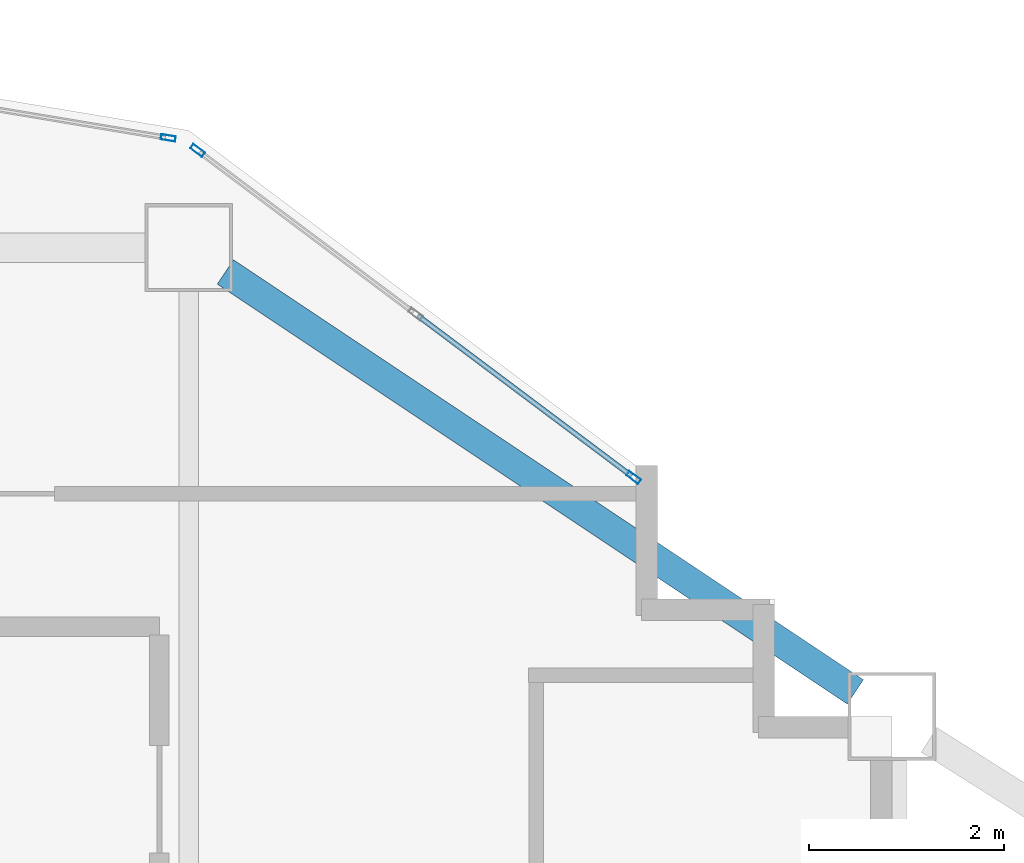
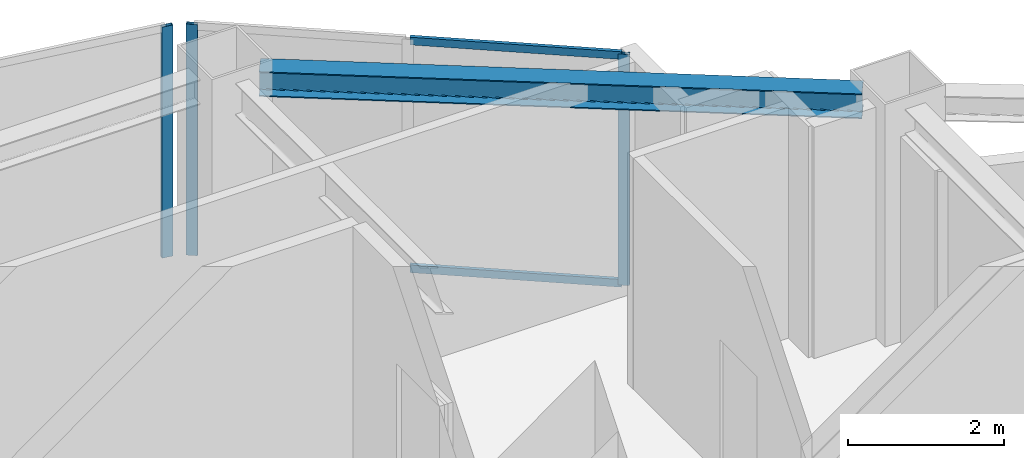
# One storey, part 3 of 12: 5 members, 1 beam, 2 elements without a shape of their own.
"""IFC4 building model written with IfcOpenShell, lengths in metres."""

import ifcopenshell
import ifcopenshell.guid

model = None  # the IFC model being written
_history = None  # IfcOwnerHistory: only IFC2X3 demands one
_inside = {}  # id of a spatial element -> (the spatial element, [elements in it])
_under = {}  # id of a project, library or spatial element -> (it, [spatial elements below it])
_declared = {}  # id of a project -> (the project, [libraries it declares])
_typed = {}  # id of a type object -> (the type object, [elements of that type])
_made_of = {}  # id of a material, layer set ... -> (it, [elements and type objects made of it])


def new_model(schema):
    """Start an empty IFC model of exactly this schema.

    Asked for "IFC4X3", IfcOpenShell would pick the latest addendum, in which some entities
    have other attributes; the version numbers below select the first issue.
    IFC2X3 requires an IfcOwnerHistory on every rooted entity: one is made here for all.
    """
    global model, _history
    if schema == "IFC4X3":
        model = ifcopenshell.file(schema_version=(4, 3, 0, 0))
    else:
        model = ifcopenshell.file(schema=schema)
    _inside.clear()
    _under.clear()
    _declared.clear()
    _typed.clear()
    _made_of.clear()
    _history = None
    if model.schema == "IFC2X3":
        org = make("IfcOrganization", Name="unknown")
        user = make(
            "IfcPersonAndOrganization",
            ThePerson=make("IfcPerson", FamilyName="unknown"),
            TheOrganization=org,
        )
        app = make(
            "IfcApplication",
            ApplicationDeveloper=org,
            Version="unknown",
            ApplicationFullName="unknown",
            ApplicationIdentifier="unknown",
        )
        _history = make(
            "IfcOwnerHistory",
            OwningUser=user,
            OwningApplication=app,
            ChangeAction="ADDED",
            CreationDate=0,
        )
    return model


def make(cls, **values):
    """One entity of the class cls with the attributes given. An attribute that is None is left unset."""
    return model.create_entity(
        cls, **{name: value for name, value in values.items() if value is not None}
    )


def rooted(cls, **values):
    """An entity with a GlobalId (a new one), such as an element, a storey or a relation."""
    return make(cls, GlobalId=ifcopenshell.guid.new(), OwnerHistory=_history, **values)


def si_unit(unit_type, name, prefix=None):
    """IfcSIUnit, for example si_unit("LENGTHUNIT", "METRE", prefix="MILLI")."""
    return make("IfcSIUnit", UnitType=unit_type, Prefix=prefix, Name=name)


def assignment(units):
    """IfcUnitAssignment: the units of a project."""
    return None if units is None else make("IfcUnitAssignment", Units=units)


def point(xyz):
    """IfcCartesianPoint."""
    return None if xyz is None else make("IfcCartesianPoint", Coordinates=xyz)


def direction(xyz):
    """IfcDirection."""
    return None if xyz is None else make("IfcDirection", DirectionRatios=xyz)


def frame(location, z_axis=None, x_axis=None):
    """IfcAxis2Placement3D, a coordinate frame: its origin and axes. An axis left out is left unset."""
    return make(
        "IfcAxis2Placement3D",
        Location=point(location),
        Axis=direction(z_axis),
        RefDirection=direction(x_axis),
    )


def frame_2d(location, x_axis=None):
    """IfcAxis2Placement2D, a coordinate frame in the plane: its origin and x axis."""
    return make(
        "IfcAxis2Placement2D", Location=point(location), RefDirection=direction(x_axis)
    )


def origin():
    """The frame at (0, 0, 0) with its axes left unset."""
    return frame((0.0, 0.0, 0.0))


def origin_2d():
    """The frame at (0, 0) in the plane with its x axis left unset."""
    return frame_2d((0.0, 0.0))


def place(relative_to, where):
    """IfcLocalPlacement: puts the frame where relative to a parent placement (None: the world)."""
    return make(
        "IfcLocalPlacement", PlacementRelTo=relative_to, RelativePlacement=where
    )


def context(
    kind, dimensions, precision=None, world=None, true_north=None, identifier=None
):
    """IfcGeometricRepresentationContext, for example the 3D "Model" context."""
    return make(
        "IfcGeometricRepresentationContext",
        ContextIdentifier=identifier,
        ContextType=kind,
        CoordinateSpaceDimension=dimensions,
        Precision=precision,
        WorldCoordinateSystem=world,
        TrueNorth=true_north,
    )


def subcontext(parent, identifier, kind, view, scale=None):
    """IfcGeometricRepresentationSubContext, for example "Body" below "Model"."""
    return make(
        "IfcGeometricRepresentationSubContext",
        ContextIdentifier=identifier,
        ContextType=kind,
        ParentContext=parent,
        TargetScale=scale,
        TargetView=view,
    )


def project(units=None, contexts=None):
    """IfcProject with its units and contexts."""
    return rooted(
        "IfcProject",
        Name="project",
        RepresentationContexts=contexts,
        UnitsInContext=assignment(units),
    )


def spatial(cls, under=None, at=None, **own):
    """A site, building, storey or space (cls), placed at a placement, below another one or the project."""
    s = rooted(cls, ObjectPlacement=at, **own)
    if under is not None:
        _under.setdefault(under.id(), (under, []))[1].append(s)
    return s


def profile(cls, at=None, kind="AREA", **sizes):
    """A parametric profile (cls). Its sizes go by their IFC names, for example OverallWidth=200.0."""
    return make(cls, ProfileType=kind, Position=at, **sizes)


def hollow_rectangle(**sizes):
    """IfcRectangleHollowProfileDef."""
    return profile("IfcRectangleHollowProfileDef", **sizes)


def i_section(**sizes):
    """IfcIShapeProfileDef."""
    return profile("IfcIShapeProfileDef", **sizes)


def extrude(swept, where, along, depth):
    """IfcExtrudedAreaSolid: the profile swept, set in the frame where, extruded along a direction by depth."""
    return make(
        "IfcExtrudedAreaSolid",
        SweptArea=swept,
        Position=where,
        ExtrudedDirection=direction(along),
        Depth=depth,
    )


def shape(context_of_items, identifier, shape_type, items):
    """IfcShapeRepresentation: the items that make up one representation, for example the "Body"."""
    return make(
        "IfcShapeRepresentation",
        ContextOfItems=context_of_items,
        RepresentationIdentifier=identifier,
        RepresentationType=shape_type,
        Items=items,
    )


def material(Name=None, Category=None):
    """IfcMaterial."""
    return make("IfcMaterial", Name=Name, Category=Category)


def layer(
    of_material, thickness, ventilated=None, Name=None, Category=None, Priority=None
):
    """IfcMaterialLayer: one layer of a wall or slab, of a material (None: an air gap)."""
    return make(
        "IfcMaterialLayer",
        Material=of_material,
        LayerThickness=thickness,
        IsVentilated=ventilated,
        Name=Name,
        Category=Category,
        Priority=Priority,
    )


def layer_set(layers, Name=None):
    """IfcMaterialLayerSet."""
    return make("IfcMaterialLayerSet", MaterialLayers=layers, LayerSetName=Name)


def material_profile(
    of_material, cross_section, Name=None, Category=None, Priority=None
):
    """IfcMaterialProfile: a cross section and its material."""
    return make(
        "IfcMaterialProfile",
        Name=Name,
        Material=of_material,
        Profile=cross_section,
        Priority=Priority,
        Category=Category,
    )


def profile_set(profiles, Name=None, composite=None):
    """IfcMaterialProfileSet."""
    return make(
        "IfcMaterialProfileSet",
        Name=Name,
        MaterialProfiles=profiles,
        CompositeProfile=composite,
    )


def made_of(thing, what):
    """Note that an element or type object is made of a material, layer set ...; save() writes the relation."""
    if what is not None:
        _made_of.setdefault(what.id(), (what, []))[1].append(thing)
    return thing


def type_object(cls, material=None, **own):
    """A type object (cls), such as IfcWallType, which elements share."""
    return made_of(rooted(cls, **own), material)


def element(
    cls,
    number,
    at=None,
    inside=None,
    cuts=None,
    type_object=None,
    material=None,
    context=None,
    identifier="Body",
    shape_type=None,
    held_by="IfcProductDefinitionShape",
    body=None,
    shapes=None,
    **own,
):
    """One element of the class cls, such as IfcWall. Its Tag is "e" and its number.

    at: its placement. inside: the storey or other place that contains it. cuts: it is an
    opening in that element (IfcRelVoidsElement). A single representation is given by context,
    identifier, shape_type and body (its items); several are given by shapes. held_by: the class
    of the entity that holds the representations. save() writes the other relations.
    """
    e = rooted(cls, Tag="e%d" % number, ObjectPlacement=at, **own)
    if body is not None:
        shapes = [shape(context, identifier, shape_type, body)]
    if shapes is not None:
        e.Representation = make(held_by, Representations=shapes)
    if inside is not None:
        _inside.setdefault(inside.id(), (inside, []))[1].append(e)
    if cuts is not None:
        rooted(
            "IfcRelVoidsElement", RelatingBuildingElement=cuts, RelatedOpeningElement=e
        )
    if type_object is not None:
        _typed.setdefault(type_object.id(), (type_object, []))[1].append(e)
    return made_of(e, material)


def aggregate(whole, parts):
    """IfcRelAggregates: a whole, such as a stair, and the parts it consists of."""
    return rooted("IfcRelAggregates", RelatingObject=whole, RelatedObjects=parts)


def save(model, path):
    """Write the relations noted so far, then the file.

    IfcRelAggregates (storeys below a building ...), IfcRelContainedInSpatialStructure (elements
    in a storey), IfcRelDefinesByType, IfcRelAssociatesMaterial and IfcRelDeclares: one each for
    every whole, place, type object, material and project.
    """
    for whole, parts in _under.values():
        aggregate(whole, parts)
    for where, things in _inside.values():
        rooted(
            "IfcRelContainedInSpatialStructure",
            RelatedElements=things,
            RelatingStructure=where,
        )
    for kind, things in _typed.values():
        rooted("IfcRelDefinesByType", RelatedObjects=things, RelatingType=kind)
    for what, things in _made_of.values():
        rooted("IfcRelAssociatesMaterial", RelatedObjects=things, RelatingMaterial=what)
    for by, libraries in _declared.values():
        rooted("IfcRelDeclares", RelatingContext=by, RelatedDefinitions=libraries)
    model.write(path)


model = new_model("IFC4")

# Units and contexts
model_context = context("Model", 3, precision=1e-05, world=origin(), true_north=direction((0.0, 1.0)))
body_context = subcontext(model_context, "Body", "Model", "MODEL_VIEW")
ifc_project = project(units=[si_unit("LENGTHUNIT", "METRE"), si_unit("AREAUNIT", "SQUARE_METRE"), si_unit("VOLUMEUNIT", "CUBIC_METRE"), si_unit("PLANEANGLEUNIT", "RADIAN"), si_unit("MASSUNIT", "GRAM", prefix="KILO")], contexts=[model_context])

# Site, building, storey
site_placement = place(None, origin())
site = spatial("IfcSite", under=ifc_project, at=site_placement, CompositionType="ELEMENT")
building_placement = place(site_placement, origin())
building = spatial("IfcBuilding", under=site, at=building_placement, Name="Haolan Belvedere Tower", CompositionType="ELEMENT")
storey_placement = place(building_placement, frame((0.0, 0.0, 184.199951171875)))
storey = spatial("IfcBuildingStorey", under=building, at=storey_placement, Name="L46", CompositionType="ELEMENT", Elevation=184.199951171875)

# Beam
ifc_material_1 = material(Name="Steel Q355B", Category="steel")
ifc_material_profile_1 = material_profile(ifc_material_1, i_section(OverallWidth=0.300048828125, OverallDepth=0.389892578125, WebThickness=0.010009765625, FlangeThickness=0.01611328125, FilletRadius=0.02197265625, at=origin_2d()), Name="Steel Q355B")
ifc_profile_set_1 = profile_set([ifc_material_profile_1], Name="Steel Q355B")
beam_type = type_object("IfcBeamType", Name="BM-HM390x300x10x16", PredefinedType="SPANDREL", material=ifc_profile_set_1)
beam_placement = place(storey_placement, frame((45.974365234375, 50.150390625, 3.425048828125), z_axis=(0.832050294338, -0.554700196225, 0.0), x_axis=(0.554700196225, 0.832050294338, 0.0)))
element("IfcBeam", 1, at=beam_placement, inside=storey, type_object=beam_type, Name="L46 spandrel girder MC-T3-N2-MC-T3-NE", PredefinedType="SPANDREL", context=body_context, shape_type="SweptSolid", body=[
    extrude(i_section(OverallWidth=0.300048828125, OverallDepth=0.389892578125, WebThickness=0.010009765625, FlangeThickness=0.01611328125, FilletRadius=0.02197265625, at=origin_2d()), origin(), (0.0, 0.0, 1.0), 7.75341796875),
])

# Curtain wall, members
ifc_material_2 = material(Name="Anodised champagne-silver aluminium 6063-T6 and Low-E glass", Category="aluminium")
ifc_layer = layer(ifc_material_2, 0.14990234375, Name="Anodised champagne-silver aluminium 6063-T6 and Low-E glass")
ifc_layer_set = layer_set([ifc_layer], Name="Anodised champagne-silver aluminium 6063-T6 and Low-E glass")
curtain_wall_type = type_object("IfcCurtainWallType", Name="CW-SYS-04", PredefinedType="NOTDEFINED", material=ifc_layer_set)
curtain_wall_1_placement = place(storey_placement, origin())
curtain_wall_1 = element("IfcCurtainWall", 2, at=curtain_wall_1_placement, inside=storey, type_object=curtain_wall_type, Name="L46 CW-SYS-04 ribbon curtain wall 20.1", PredefinedType="NOTDEFINED")
ifc_material_3 = material(Name="Anodised aluminium 6063-T6", Category="aluminium")
ifc_material_profile_2 = material_profile(ifc_material_3, hollow_rectangle(XDim=0.055908203125, YDim=0.14990234375, WallThickness=0.00390625, at=origin_2d()), Name="Anodised aluminium 6063-T6")
ifc_profile_set_2 = profile_set([ifc_material_profile_2], Name="Anodised aluminium 6063-T6")
member_type_1 = type_object("IfcMemberType", Name="CW-SYS-04-MUL", PredefinedType="MULLION", material=ifc_profile_set_2)
member_1_placement = place(storey_placement, frame((50.155517578125, 48.0458984375, 0.0), z_axis=(0.0, 0.0, 1.0), x_axis=(-0.600002837806, -0.799997871638, 0.0)))
member_1 = element("IfcMember", 3, at=member_1_placement, type_object=member_type_1, Name="CW-04 mullion 1", PredefinedType="MULLION", context=body_context, shape_type="SweptSolid", body=[
    extrude(hollow_rectangle(XDim=0.055908203125, YDim=0.14990234375, WallThickness=0.00390625, at=origin_2d()), origin(), (0.0, 0.0, 1.0), 3.6201171875),
])
member_2_placement = place(storey_placement, frame((45.68994140625, 51.39501953125, 0.0), z_axis=(0.0, 0.0, 1.0), x_axis=(-0.600002837806, -0.799997871638, 0.0)))
member_2 = element("IfcMember", 4, at=member_2_placement, type_object=member_type_1, Name="CW-04 mullion 3", PredefinedType="MULLION", context=body_context, shape_type="SweptSolid", body=[
    extrude(hollow_rectangle(XDim=0.055908203125, YDim=0.14990234375, WallThickness=0.00390625, at=origin_2d()), origin(), (0.0, 0.0, 1.0), 3.6201171875),
])

# Curtain wall, member
curtain_wall_2_placement = place(storey_placement, origin())
curtain_wall_2 = element("IfcCurtainWall", 5, at=curtain_wall_2_placement, inside=storey, type_object=curtain_wall_type, Name="L46 CW-SYS-04 ribbon curtain wall 21.1", PredefinedType="NOTDEFINED")
member_3_placement = place(storey_placement, frame((45.389892578125, 51.5234375, 0.0), z_axis=(0.0, 0.0, 1.0), x_axis=(-0.164405962825, -0.98639276122, 0.0)))
member_3 = element("IfcMember", 6, at=member_3_placement, type_object=member_type_1, Name="CW-04 mullion 1", PredefinedType="MULLION", context=body_context, shape_type="SweptSolid", body=[
    extrude(hollow_rectangle(XDim=0.055908203125, YDim=0.14990234375, WallThickness=0.00390625, at=origin_2d()), origin(), (0.0, 0.0, 1.0), 3.6201171875),
])
aggregate(curtain_wall_2, [member_3])

# Member
ifc_material_profile_3 = material_profile(ifc_material_3, hollow_rectangle(XDim=0.052001953125, YDim=0.1201171875, WallThickness=0.00390625, at=origin_2d()), Name="Anodised aluminium 6063-T6")
ifc_profile_set_3 = profile_set([ifc_material_profile_3], Name="Anodised aluminium 6063-T6")
member_type_2 = type_object("IfcMemberType", Name="CW-SYS-04-TRN", PredefinedType="USERDEFINED", material=ifc_profile_set_3)
member_4_placement = place(storey_placement, frame((50.13330078125, 48.0625, 0.026123046875), z_axis=(-0.800010710715, 0.59998571878, 0.0), x_axis=(-0.59998571878, -0.800010710715, 0.0)))
member_4 = element("IfcMember", 7, at=member_4_placement, type_object=member_type_2, Name="CW-04 transom 1.1", ObjectType="TRANSOM", PredefinedType="USERDEFINED", context=body_context, shape_type="SweptSolid", body=[
    extrude(hollow_rectangle(XDim=0.052001953125, YDim=0.1201171875, WallThickness=0.00390625, at=origin_2d()), origin(), (0.0, 0.0, 1.0), 2.7353515625),
])

member_5_placement = place(storey_placement, frame((50.13330078125, 48.0625, 3.593994140625), z_axis=(-0.800010710715, 0.59998571878, 0.0), x_axis=(-0.59998571878, -0.800010710715, 0.0)))
member_5 = element("IfcMember", 8, at=member_5_placement, type_object=member_type_2, Name="CW-04 transom 1.2", ObjectType="TRANSOM", PredefinedType="USERDEFINED", context=body_context, shape_type="SweptSolid", body=[
    extrude(hollow_rectangle(XDim=0.052001953125, YDim=0.1201171875, WallThickness=0.00390625, at=origin_2d()), origin(), (0.0, 0.0, 1.0), 2.7353515625),
])

aggregate(curtain_wall_1, [member_1, member_2, member_4, member_5])

save(model, "model.ifc")
